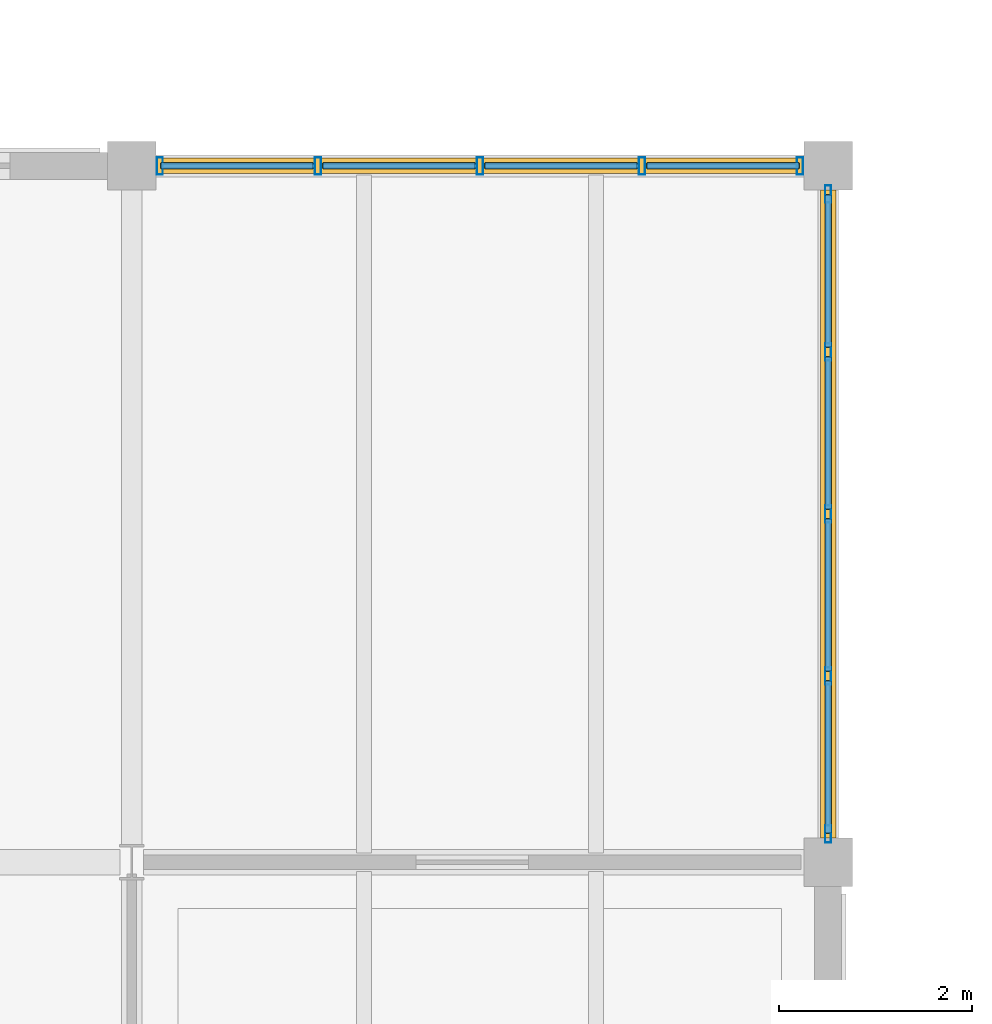
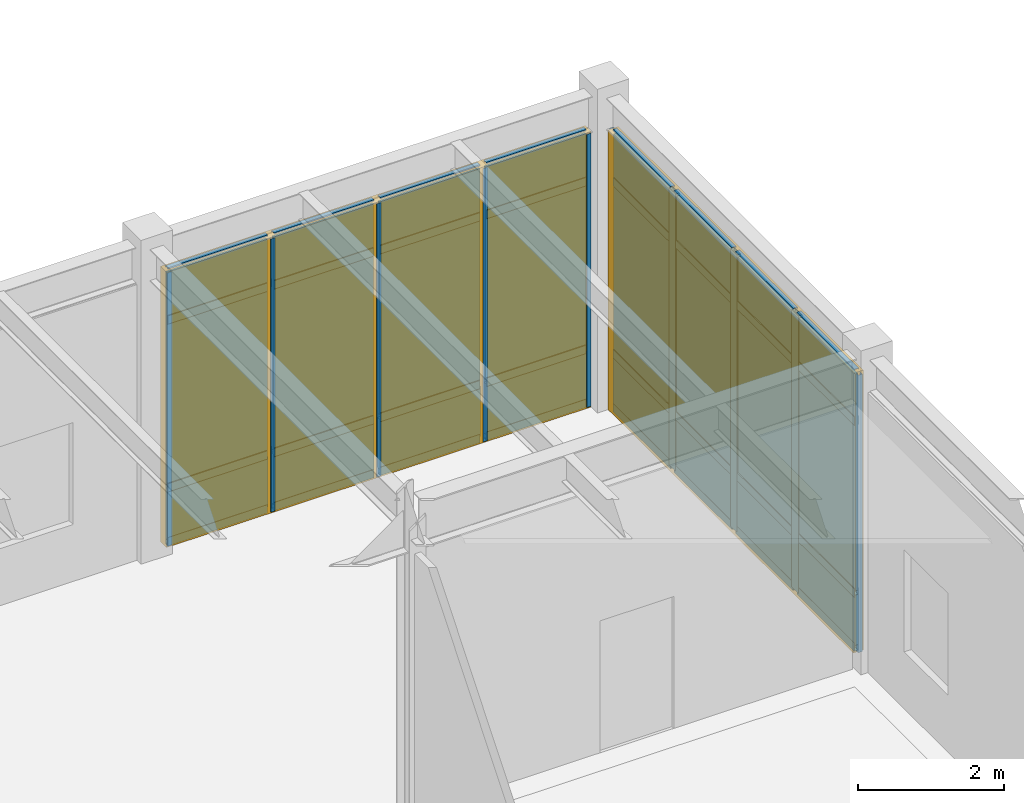
# One storey, part 85 of 97: 42 members, 16 plates, 2 curtain walls.
"""IFC4 building model written with IfcOpenShell, lengths in metres."""

from ifc_helpers import new_model, si_unit, direction, frame, origin, origin_2d, place, context, subcontext, project, spatial, rectangle, hollow_rectangle, extrude, material, layer, layer_set, material_profile, profile_set, type_object, element, aggregate, save


model = new_model("IFC4")

# Units and contexts
model_context = context("Model", 3, precision=1e-05, world=origin(), true_north=direction((0.0, 1.0)))
body_context = subcontext(model_context, "Body", "Model", "MODEL_VIEW")
ifc_project = project(units=[si_unit("LENGTHUNIT", "METRE"), si_unit("AREAUNIT", "SQUARE_METRE"), si_unit("VOLUMEUNIT", "CUBIC_METRE"), si_unit("PLANEANGLEUNIT", "RADIAN"), si_unit("MASSUNIT", "GRAM", prefix="KILO")], contexts=[model_context])

# Member
ifc_material_1 = material(Name="Anodized Aluminium 6063-T6", Category="aluminium")
ifc_material_profile_1 = material_profile(ifc_material_1, hollow_rectangle(XDim=0.06494140625, YDim=0.179931640625, WallThickness=0.00390625, at=origin_2d()), Name="ALU 65x180x4")
ifc_profile_set_1 = profile_set([ifc_material_profile_1], Name="Anodized Aluminium 6063-T6")
member_type_1 = type_object("IfcMemberType", Name="CWM-65X150", PredefinedType="MULLION", material=ifc_profile_set_1)
site_placement = place(None, origin())
building_placement = place(site_placement, origin())
storey_placement = place(building_placement, origin())
member_1_placement = place(storey_placement, frame((129.889892578125, 93.60009765625, 0.02001953125), z_axis=(0.0, 0.0, 1.0), x_axis=(1.0, 0.0, 0.0)))
member_1 = element("IfcMember", 1, at=member_1_placement, type_object=member_type_1, Name="Curtain wall mullion CW-L01-18-12-N-00", PredefinedType="MULLION", context=body_context, shape_type="SweptSolid", body=[
    extrude(hollow_rectangle(XDim=0.06494140625, YDim=0.179931640625, WallThickness=0.00390625, at=origin_2d()), origin(), (0.0, 0.0, 1.0), 4.557861328125),
])

member_2_placement = place(storey_placement, frame((131.52490234375, 93.60009765625, 0.02001953125), z_axis=(0.0, 0.0, 1.0), x_axis=(1.0, 0.0, 0.0)))
member_2 = element("IfcMember", 2, at=member_2_placement, type_object=member_type_1, Name="Curtain wall mullion CW-L01-18-12-N-01", PredefinedType="MULLION", context=body_context, shape_type="SweptSolid", body=[
    extrude(hollow_rectangle(XDim=0.06494140625, YDim=0.179931640625, WallThickness=0.00390625, at=origin_2d()), origin(), (0.0, 0.0, 1.0), 4.557861328125),
])

member_3_placement = place(storey_placement, frame((133.199951171875, 93.60009765625, 0.02001953125), z_axis=(0.0, 0.0, 1.0), x_axis=(1.0, 0.0, 0.0)))
member_3 = element("IfcMember", 3, at=member_3_placement, type_object=member_type_1, Name="Curtain wall mullion CW-L01-18-12-N-02", PredefinedType="MULLION", context=body_context, shape_type="SweptSolid", body=[
    extrude(hollow_rectangle(XDim=0.06494140625, YDim=0.179931640625, WallThickness=0.00390625, at=origin_2d()), origin(), (0.0, 0.0, 1.0), 4.557861328125),
])

member_4_placement = place(storey_placement, frame((134.875, 93.60009765625, 0.02001953125), z_axis=(0.0, 0.0, 1.0), x_axis=(1.0, 0.0, 0.0)))
member_4 = element("IfcMember", 4, at=member_4_placement, type_object=member_type_1, Name="Curtain wall mullion CW-L01-18-12-N-03", PredefinedType="MULLION", context=body_context, shape_type="SweptSolid", body=[
    extrude(hollow_rectangle(XDim=0.06494140625, YDim=0.179931640625, WallThickness=0.00390625, at=origin_2d()), origin(), (0.0, 0.0, 1.0), 4.557861328125),
])

member_5_placement = place(storey_placement, frame((136.510009765625, 93.60009765625, 0.02001953125), z_axis=(0.0, 0.0, 1.0), x_axis=(1.0, 0.0, 0.0)))
member_5 = element("IfcMember", 5, at=member_5_placement, type_object=member_type_1, Name="Curtain wall mullion CW-L01-18-12-N-04", PredefinedType="MULLION", context=body_context, shape_type="SweptSolid", body=[
    extrude(hollow_rectangle(XDim=0.06494140625, YDim=0.179931640625, WallThickness=0.00390625, at=origin_2d()), origin(), (0.0, 0.0, 1.0), 4.557861328125),
])

member_6_placement = place(storey_placement, frame((136.800048828125, 93.31005859375, 0.02001953125), z_axis=(0.0, 0.0, 1.0), x_axis=(1.0, 0.0, 0.0)))
member_6 = element("IfcMember", 6, at=member_6_placement, type_object=member_type_1, Name="Curtain wall mullion CW-L01-18-12-E-00", PredefinedType="MULLION", context=body_context, shape_type="SweptSolid", body=[
    extrude(hollow_rectangle(XDim=0.06494140625, YDim=0.179931640625, WallThickness=0.00390625, at=origin_2d()), origin(), (0.0, 0.0, 1.0), 4.626953125),
])

member_7_placement = place(storey_placement, frame((136.800048828125, 91.675048828125, 0.02001953125), z_axis=(0.0, 0.0, 1.0), x_axis=(1.0, 0.0, 0.0)))
member_7 = element("IfcMember", 7, at=member_7_placement, type_object=member_type_1, Name="Curtain wall mullion CW-L01-18-12-E-01", PredefinedType="MULLION", context=body_context, shape_type="SweptSolid", body=[
    extrude(hollow_rectangle(XDim=0.06494140625, YDim=0.179931640625, WallThickness=0.00390625, at=origin_2d()), origin(), (0.0, 0.0, 1.0), 4.626953125),
])

member_8_placement = place(storey_placement, frame((136.800048828125, 90.0, 0.02001953125), z_axis=(0.0, 0.0, 1.0), x_axis=(1.0, 0.0, 0.0)))
member_8 = element("IfcMember", 8, at=member_8_placement, type_object=member_type_1, Name="Curtain wall mullion CW-L01-18-12-E-02", PredefinedType="MULLION", context=body_context, shape_type="SweptSolid", body=[
    extrude(hollow_rectangle(XDim=0.06494140625, YDim=0.179931640625, WallThickness=0.00390625, at=origin_2d()), origin(), (0.0, 0.0, 1.0), 4.626953125),
])

member_9_placement = place(storey_placement, frame((136.800048828125, 88.324951171875, 0.02001953125), z_axis=(0.0, 0.0, 1.0), x_axis=(1.0, 0.0, 0.0)))
member_9 = element("IfcMember", 9, at=member_9_placement, type_object=member_type_1, Name="Curtain wall mullion CW-L01-18-12-E-03", PredefinedType="MULLION", context=body_context, shape_type="SweptSolid", body=[
    extrude(hollow_rectangle(XDim=0.06494140625, YDim=0.179931640625, WallThickness=0.00390625, at=origin_2d()), origin(), (0.0, 0.0, 1.0), 4.626953125),
])

member_10_placement = place(storey_placement, frame((136.800048828125, 86.68994140625, 0.02001953125), z_axis=(0.0, 0.0, 1.0), x_axis=(1.0, 0.0, 0.0)))
member_10 = element("IfcMember", 10, at=member_10_placement, type_object=member_type_1, Name="Curtain wall mullion CW-L01-18-12-E-04", PredefinedType="MULLION", context=body_context, shape_type="SweptSolid", body=[
    extrude(hollow_rectangle(XDim=0.06494140625, YDim=0.179931640625, WallThickness=0.00390625, at=origin_2d()), origin(), (0.0, 0.0, 1.0), 4.626953125),
])

ifc_material_profile_2 = material_profile(ifc_material_1, hollow_rectangle(XDim=0.06494140625, YDim=0.139892578125, WallThickness=0.00390625, at=origin_2d()), Name="ALU 65x140x4")
ifc_profile_set_2 = profile_set([ifc_material_profile_2], Name="Anodized Aluminium 6063-T6")
member_type_2 = type_object("IfcMemberType", Name="CWT-65X120", PredefinedType="USERDEFINED", material=ifc_profile_set_2)
member_11_placement = place(storey_placement, frame((129.89990234375, 93.60009765625, 0.050048828125), z_axis=(1.0, 0.0, 0.0), x_axis=(0.0, 1.0, 0.0)))
member_11 = element("IfcMember", 11, at=member_11_placement, type_object=member_type_2, Name="Curtain wall transom CW-L01-18-12-N-1.01", ObjectType="TRANSOM", PredefinedType="USERDEFINED", context=body_context, shape_type="SweptSolid", body=[
    extrude(hollow_rectangle(XDim=0.06494140625, YDim=0.139892578125, WallThickness=0.00390625, at=origin_2d()), origin(), (0.0, 0.0, 1.0), 1.5751953125),
])

member_12_placement = place(storey_placement, frame((131.574951171875, 93.60009765625, 0.050048828125), z_axis=(1.0, 0.0, 0.0), x_axis=(0.0, 1.0, 0.0)))
member_12 = element("IfcMember", 12, at=member_12_placement, type_object=member_type_2, Name="Curtain wall transom CW-L01-18-12-N-1.02", ObjectType="TRANSOM", PredefinedType="USERDEFINED", context=body_context, shape_type="SweptSolid", body=[
    extrude(hollow_rectangle(XDim=0.06494140625, YDim=0.139892578125, WallThickness=0.00390625, at=origin_2d()), origin(), (0.0, 0.0, 1.0), 1.574951171875),
])

member_13_placement = place(storey_placement, frame((133.25, 93.60009765625, 0.050048828125), z_axis=(1.0, 0.0, 0.0), x_axis=(0.0, 1.0, 0.0)))
member_13 = element("IfcMember", 13, at=member_13_placement, type_object=member_type_2, Name="Curtain wall transom CW-L01-18-12-N-1.03", ObjectType="TRANSOM", PredefinedType="USERDEFINED", context=body_context, shape_type="SweptSolid", body=[
    extrude(hollow_rectangle(XDim=0.06494140625, YDim=0.139892578125, WallThickness=0.00390625, at=origin_2d()), origin(), (0.0, 0.0, 1.0), 1.574951171875),
])

member_14_placement = place(storey_placement, frame((134.925048828125, 93.60009765625, 0.050048828125), z_axis=(1.0, 0.0, 0.0), x_axis=(0.0, 1.0, 0.0)))
member_14 = element("IfcMember", 14, at=member_14_placement, type_object=member_type_2, Name="Curtain wall transom CW-L01-18-12-N-1.04", ObjectType="TRANSOM", PredefinedType="USERDEFINED", context=body_context, shape_type="SweptSolid", body=[
    extrude(hollow_rectangle(XDim=0.06494140625, YDim=0.139892578125, WallThickness=0.00390625, at=origin_2d()), origin(), (0.0, 0.0, 1.0), 1.574951171875),
])

member_15_placement = place(storey_placement, frame((129.89990234375, 93.60009765625, 0.949951171875), z_axis=(1.0, 0.0, 0.0), x_axis=(0.0, 1.0, 0.0)))
member_15 = element("IfcMember", 15, at=member_15_placement, type_object=member_type_2, Name="Curtain wall transom CW-L01-18-12-N-2.01", ObjectType="TRANSOM", PredefinedType="USERDEFINED", context=body_context, shape_type="SweptSolid", body=[
    extrude(hollow_rectangle(XDim=0.06494140625, YDim=0.139892578125, WallThickness=0.00390625, at=origin_2d()), origin(), (0.0, 0.0, 1.0), 1.5751953125),
])

member_16_placement = place(storey_placement, frame((131.574951171875, 93.60009765625, 0.949951171875), z_axis=(1.0, 0.0, 0.0), x_axis=(0.0, 1.0, 0.0)))
member_16 = element("IfcMember", 16, at=member_16_placement, type_object=member_type_2, Name="Curtain wall transom CW-L01-18-12-N-2.02", ObjectType="TRANSOM", PredefinedType="USERDEFINED", context=body_context, shape_type="SweptSolid", body=[
    extrude(hollow_rectangle(XDim=0.06494140625, YDim=0.139892578125, WallThickness=0.00390625, at=origin_2d()), origin(), (0.0, 0.0, 1.0), 1.574951171875),
])

member_17_placement = place(storey_placement, frame((133.25, 93.60009765625, 0.949951171875), z_axis=(1.0, 0.0, 0.0), x_axis=(0.0, 1.0, 0.0)))
member_17 = element("IfcMember", 17, at=member_17_placement, type_object=member_type_2, Name="Curtain wall transom CW-L01-18-12-N-2.03", ObjectType="TRANSOM", PredefinedType="USERDEFINED", context=body_context, shape_type="SweptSolid", body=[
    extrude(hollow_rectangle(XDim=0.06494140625, YDim=0.139892578125, WallThickness=0.00390625, at=origin_2d()), origin(), (0.0, 0.0, 1.0), 1.574951171875),
])

member_18_placement = place(storey_placement, frame((134.925048828125, 93.60009765625, 0.949951171875), z_axis=(1.0, 0.0, 0.0), x_axis=(0.0, 1.0, 0.0)))
member_18 = element("IfcMember", 18, at=member_18_placement, type_object=member_type_2, Name="Curtain wall transom CW-L01-18-12-N-2.04", ObjectType="TRANSOM", PredefinedType="USERDEFINED", context=body_context, shape_type="SweptSolid", body=[
    extrude(hollow_rectangle(XDim=0.06494140625, YDim=0.139892578125, WallThickness=0.00390625, at=origin_2d()), origin(), (0.0, 0.0, 1.0), 1.574951171875),
])

member_19_placement = place(storey_placement, frame((129.89990234375, 93.60009765625, 3.748046875), z_axis=(1.0, 0.0, 0.0), x_axis=(0.0, 1.0, 0.0)))
member_19 = element("IfcMember", 19, at=member_19_placement, type_object=member_type_2, Name="Curtain wall transom CW-L01-18-12-N-3.01", ObjectType="TRANSOM", PredefinedType="USERDEFINED", context=body_context, shape_type="SweptSolid", body=[
    extrude(hollow_rectangle(XDim=0.06494140625, YDim=0.139892578125, WallThickness=0.00390625, at=origin_2d()), origin(), (0.0, 0.0, 1.0), 1.5751953125),
])

member_20_placement = place(storey_placement, frame((131.574951171875, 93.60009765625, 3.748046875), z_axis=(1.0, 0.0, 0.0), x_axis=(0.0, 1.0, 0.0)))
member_20 = element("IfcMember", 20, at=member_20_placement, type_object=member_type_2, Name="Curtain wall transom CW-L01-18-12-N-3.02", ObjectType="TRANSOM", PredefinedType="USERDEFINED", context=body_context, shape_type="SweptSolid", body=[
    extrude(hollow_rectangle(XDim=0.06494140625, YDim=0.139892578125, WallThickness=0.00390625, at=origin_2d()), origin(), (0.0, 0.0, 1.0), 1.574951171875),
])

member_21_placement = place(storey_placement, frame((133.25, 93.60009765625, 3.748046875), z_axis=(1.0, 0.0, 0.0), x_axis=(0.0, 1.0, 0.0)))
member_21 = element("IfcMember", 21, at=member_21_placement, type_object=member_type_2, Name="Curtain wall transom CW-L01-18-12-N-3.03", ObjectType="TRANSOM", PredefinedType="USERDEFINED", context=body_context, shape_type="SweptSolid", body=[
    extrude(hollow_rectangle(XDim=0.06494140625, YDim=0.139892578125, WallThickness=0.00390625, at=origin_2d()), origin(), (0.0, 0.0, 1.0), 1.574951171875),
])

member_22_placement = place(storey_placement, frame((134.925048828125, 93.60009765625, 3.748046875), z_axis=(1.0, 0.0, 0.0), x_axis=(0.0, 1.0, 0.0)))
member_22 = element("IfcMember", 22, at=member_22_placement, type_object=member_type_2, Name="Curtain wall transom CW-L01-18-12-N-3.04", ObjectType="TRANSOM", PredefinedType="USERDEFINED", context=body_context, shape_type="SweptSolid", body=[
    extrude(hollow_rectangle(XDim=0.06494140625, YDim=0.139892578125, WallThickness=0.00390625, at=origin_2d()), origin(), (0.0, 0.0, 1.0), 1.574951171875),
])

member_23_placement = place(storey_placement, frame((129.89990234375, 93.60009765625, 4.548095703125), z_axis=(1.0, 0.0, 0.0), x_axis=(0.0, 1.0, 0.0)))
member_23 = element("IfcMember", 23, at=member_23_placement, type_object=member_type_2, Name="Curtain wall transom CW-L01-18-12-N-4.01", ObjectType="TRANSOM", PredefinedType="USERDEFINED", context=body_context, shape_type="SweptSolid", body=[
    extrude(hollow_rectangle(XDim=0.06494140625, YDim=0.139892578125, WallThickness=0.00390625, at=origin_2d()), origin(), (0.0, 0.0, 1.0), 1.5751953125),
])

member_24_placement = place(storey_placement, frame((131.574951171875, 93.60009765625, 4.548095703125), z_axis=(1.0, 0.0, 0.0), x_axis=(0.0, 1.0, 0.0)))
member_24 = element("IfcMember", 24, at=member_24_placement, type_object=member_type_2, Name="Curtain wall transom CW-L01-18-12-N-4.02", ObjectType="TRANSOM", PredefinedType="USERDEFINED", context=body_context, shape_type="SweptSolid", body=[
    extrude(hollow_rectangle(XDim=0.06494140625, YDim=0.139892578125, WallThickness=0.00390625, at=origin_2d()), origin(), (0.0, 0.0, 1.0), 1.574951171875),
])

member_25_placement = place(storey_placement, frame((133.25, 93.60009765625, 4.548095703125), z_axis=(1.0, 0.0, 0.0), x_axis=(0.0, 1.0, 0.0)))
member_25 = element("IfcMember", 25, at=member_25_placement, type_object=member_type_2, Name="Curtain wall transom CW-L01-18-12-N-4.03", ObjectType="TRANSOM", PredefinedType="USERDEFINED", context=body_context, shape_type="SweptSolid", body=[
    extrude(hollow_rectangle(XDim=0.06494140625, YDim=0.139892578125, WallThickness=0.00390625, at=origin_2d()), origin(), (0.0, 0.0, 1.0), 1.574951171875),
])

member_26_placement = place(storey_placement, frame((134.925048828125, 93.60009765625, 4.548095703125), z_axis=(1.0, 0.0, 0.0), x_axis=(0.0, 1.0, 0.0)))
member_26 = element("IfcMember", 26, at=member_26_placement, type_object=member_type_2, Name="Curtain wall transom CW-L01-18-12-N-4.04", ObjectType="TRANSOM", PredefinedType="USERDEFINED", context=body_context, shape_type="SweptSolid", body=[
    extrude(hollow_rectangle(XDim=0.06494140625, YDim=0.139892578125, WallThickness=0.00390625, at=origin_2d()), origin(), (0.0, 0.0, 1.0), 1.574951171875),
])

member_27_placement = place(storey_placement, frame((136.800048828125, 93.300048828125, 0.050048828125), z_axis=(0.0, -1.0, 0.0), x_axis=(1.0, 0.0, 0.0)))
member_27 = element("IfcMember", 27, at=member_27_placement, type_object=member_type_2, Name="Curtain wall transom CW-L01-18-12-E-1.01", ObjectType="TRANSOM", PredefinedType="USERDEFINED", context=body_context, shape_type="SweptSolid", body=[
    extrude(hollow_rectangle(XDim=0.06494140625, YDim=0.139892578125, WallThickness=0.00390625, at=origin_2d()), origin(), (0.0, 0.0, 1.0), 1.574951171875),
])

member_28_placement = place(storey_placement, frame((136.800048828125, 91.625, 0.050048828125), z_axis=(0.0, -1.0, 0.0), x_axis=(1.0, 0.0, 0.0)))
member_28 = element("IfcMember", 28, at=member_28_placement, type_object=member_type_2, Name="Curtain wall transom CW-L01-18-12-E-1.02", ObjectType="TRANSOM", PredefinedType="USERDEFINED", context=body_context, shape_type="SweptSolid", body=[
    extrude(hollow_rectangle(XDim=0.06494140625, YDim=0.139892578125, WallThickness=0.00390625, at=origin_2d()), origin(), (0.0, 0.0, 1.0), 1.574951171875),
])

member_29_placement = place(storey_placement, frame((136.800048828125, 89.949951171875, 0.050048828125), z_axis=(0.0, -1.0, 0.0), x_axis=(1.0, 0.0, 0.0)))
member_29 = element("IfcMember", 29, at=member_29_placement, type_object=member_type_2, Name="Curtain wall transom CW-L01-18-12-E-1.03", ObjectType="TRANSOM", PredefinedType="USERDEFINED", context=body_context, shape_type="SweptSolid", body=[
    extrude(hollow_rectangle(XDim=0.06494140625, YDim=0.139892578125, WallThickness=0.00390625, at=origin_2d()), origin(), (0.0, 0.0, 1.0), 1.574951171875),
])

member_30_placement = place(storey_placement, frame((136.800048828125, 88.27490234375, 0.050048828125), z_axis=(0.0, -1.0, 0.0), x_axis=(1.0, 0.0, 0.0)))
member_30 = element("IfcMember", 30, at=member_30_placement, type_object=member_type_2, Name="Curtain wall transom CW-L01-18-12-E-1.04", ObjectType="TRANSOM", PredefinedType="USERDEFINED", context=body_context, shape_type="SweptSolid", body=[
    extrude(hollow_rectangle(XDim=0.06494140625, YDim=0.139892578125, WallThickness=0.00390625, at=origin_2d()), origin(), (0.0, 0.0, 1.0), 1.574951171875),
])

member_31_placement = place(storey_placement, frame((136.800048828125, 93.300048828125, 0.949951171875), z_axis=(0.0, -1.0, 0.0), x_axis=(1.0, 0.0, 0.0)))
member_31 = element("IfcMember", 31, at=member_31_placement, type_object=member_type_2, Name="Curtain wall transom CW-L01-18-12-E-2.01", ObjectType="TRANSOM", PredefinedType="USERDEFINED", context=body_context, shape_type="SweptSolid", body=[
    extrude(hollow_rectangle(XDim=0.06494140625, YDim=0.139892578125, WallThickness=0.00390625, at=origin_2d()), origin(), (0.0, 0.0, 1.0), 1.574951171875),
])

member_32_placement = place(storey_placement, frame((136.800048828125, 91.625, 0.949951171875), z_axis=(0.0, -1.0, 0.0), x_axis=(1.0, 0.0, 0.0)))
member_32 = element("IfcMember", 32, at=member_32_placement, type_object=member_type_2, Name="Curtain wall transom CW-L01-18-12-E-2.02", ObjectType="TRANSOM", PredefinedType="USERDEFINED", context=body_context, shape_type="SweptSolid", body=[
    extrude(hollow_rectangle(XDim=0.06494140625, YDim=0.139892578125, WallThickness=0.00390625, at=origin_2d()), origin(), (0.0, 0.0, 1.0), 1.574951171875),
])

member_33_placement = place(storey_placement, frame((136.800048828125, 89.949951171875, 0.949951171875), z_axis=(0.0, -1.0, 0.0), x_axis=(1.0, 0.0, 0.0)))
member_33 = element("IfcMember", 33, at=member_33_placement, type_object=member_type_2, Name="Curtain wall transom CW-L01-18-12-E-2.03", ObjectType="TRANSOM", PredefinedType="USERDEFINED", context=body_context, shape_type="SweptSolid", body=[
    extrude(hollow_rectangle(XDim=0.06494140625, YDim=0.139892578125, WallThickness=0.00390625, at=origin_2d()), origin(), (0.0, 0.0, 1.0), 1.574951171875),
])

member_34_placement = place(storey_placement, frame((136.800048828125, 88.27490234375, 0.949951171875), z_axis=(0.0, -1.0, 0.0), x_axis=(1.0, 0.0, 0.0)))
member_34 = element("IfcMember", 34, at=member_34_placement, type_object=member_type_2, Name="Curtain wall transom CW-L01-18-12-E-2.04", ObjectType="TRANSOM", PredefinedType="USERDEFINED", context=body_context, shape_type="SweptSolid", body=[
    extrude(hollow_rectangle(XDim=0.06494140625, YDim=0.139892578125, WallThickness=0.00390625, at=origin_2d()), origin(), (0.0, 0.0, 1.0), 1.574951171875),
])

member_35_placement = place(storey_placement, frame((136.800048828125, 93.300048828125, 3.81689453125), z_axis=(0.0, -1.0, 0.0), x_axis=(1.0, 0.0, 0.0)))
member_35 = element("IfcMember", 35, at=member_35_placement, type_object=member_type_2, Name="Curtain wall transom CW-L01-18-12-E-3.01", ObjectType="TRANSOM", PredefinedType="USERDEFINED", context=body_context, shape_type="SweptSolid", body=[
    extrude(hollow_rectangle(XDim=0.06494140625, YDim=0.139892578125, WallThickness=0.00390625, at=origin_2d()), origin(), (0.0, 0.0, 1.0), 1.574951171875),
])

member_36_placement = place(storey_placement, frame((136.800048828125, 91.625, 3.81689453125), z_axis=(0.0, -1.0, 0.0), x_axis=(1.0, 0.0, 0.0)))
member_36 = element("IfcMember", 36, at=member_36_placement, type_object=member_type_2, Name="Curtain wall transom CW-L01-18-12-E-3.02", ObjectType="TRANSOM", PredefinedType="USERDEFINED", context=body_context, shape_type="SweptSolid", body=[
    extrude(hollow_rectangle(XDim=0.06494140625, YDim=0.139892578125, WallThickness=0.00390625, at=origin_2d()), origin(), (0.0, 0.0, 1.0), 1.574951171875),
])

member_37_placement = place(storey_placement, frame((136.800048828125, 89.949951171875, 3.81689453125), z_axis=(0.0, -1.0, 0.0), x_axis=(1.0, 0.0, 0.0)))
member_37 = element("IfcMember", 37, at=member_37_placement, type_object=member_type_2, Name="Curtain wall transom CW-L01-18-12-E-3.03", ObjectType="TRANSOM", PredefinedType="USERDEFINED", context=body_context, shape_type="SweptSolid", body=[
    extrude(hollow_rectangle(XDim=0.06494140625, YDim=0.139892578125, WallThickness=0.00390625, at=origin_2d()), origin(), (0.0, 0.0, 1.0), 1.574951171875),
])

member_38_placement = place(storey_placement, frame((136.800048828125, 88.27490234375, 3.81689453125), z_axis=(0.0, -1.0, 0.0), x_axis=(1.0, 0.0, 0.0)))
member_38 = element("IfcMember", 38, at=member_38_placement, type_object=member_type_2, Name="Curtain wall transom CW-L01-18-12-E-3.04", ObjectType="TRANSOM", PredefinedType="USERDEFINED", context=body_context, shape_type="SweptSolid", body=[
    extrude(hollow_rectangle(XDim=0.06494140625, YDim=0.139892578125, WallThickness=0.00390625, at=origin_2d()), origin(), (0.0, 0.0, 1.0), 1.574951171875),
])

member_39_placement = place(storey_placement, frame((136.800048828125, 93.300048828125, 4.616943359375), z_axis=(0.0, -1.0, 0.0), x_axis=(1.0, 0.0, 0.0)))
member_39 = element("IfcMember", 39, at=member_39_placement, type_object=member_type_2, Name="Curtain wall transom CW-L01-18-12-E-4.01", ObjectType="TRANSOM", PredefinedType="USERDEFINED", context=body_context, shape_type="SweptSolid", body=[
    extrude(hollow_rectangle(XDim=0.06494140625, YDim=0.139892578125, WallThickness=0.00390625, at=origin_2d()), origin(), (0.0, 0.0, 1.0), 1.574951171875),
])

member_40_placement = place(storey_placement, frame((136.800048828125, 91.625, 4.616943359375), z_axis=(0.0, -1.0, 0.0), x_axis=(1.0, 0.0, 0.0)))
member_40 = element("IfcMember", 40, at=member_40_placement, type_object=member_type_2, Name="Curtain wall transom CW-L01-18-12-E-4.02", ObjectType="TRANSOM", PredefinedType="USERDEFINED", context=body_context, shape_type="SweptSolid", body=[
    extrude(hollow_rectangle(XDim=0.06494140625, YDim=0.139892578125, WallThickness=0.00390625, at=origin_2d()), origin(), (0.0, 0.0, 1.0), 1.574951171875),
])

member_41_placement = place(storey_placement, frame((136.800048828125, 89.949951171875, 4.616943359375), z_axis=(0.0, -1.0, 0.0), x_axis=(1.0, 0.0, 0.0)))
member_41 = element("IfcMember", 41, at=member_41_placement, type_object=member_type_2, Name="Curtain wall transom CW-L01-18-12-E-4.03", ObjectType="TRANSOM", PredefinedType="USERDEFINED", context=body_context, shape_type="SweptSolid", body=[
    extrude(hollow_rectangle(XDim=0.06494140625, YDim=0.139892578125, WallThickness=0.00390625, at=origin_2d()), origin(), (0.0, 0.0, 1.0), 1.574951171875),
])

member_42_placement = place(storey_placement, frame((136.800048828125, 88.27490234375, 4.616943359375), z_axis=(0.0, -1.0, 0.0), x_axis=(1.0, 0.0, 0.0)))
member_42 = element("IfcMember", 42, at=member_42_placement, type_object=member_type_2, Name="Curtain wall transom CW-L01-18-12-E-4.04", ObjectType="TRANSOM", PredefinedType="USERDEFINED", context=body_context, shape_type="SweptSolid", body=[
    extrude(hollow_rectangle(XDim=0.06494140625, YDim=0.139892578125, WallThickness=0.00390625, at=origin_2d()), origin(), (0.0, 0.0, 1.0), 1.574951171875),
])

# Plate
ifc_material_2 = material(Name="Double Low-E Insulated Glazing Unit", Category="glass")
ifc_layer_1 = layer(ifc_material_2, 0.0380859375)
ifc_layer_set_1 = layer_set([ifc_layer_1], Name="Double Low-E Insulated Glazing Unit")
plate_type_1 = type_object("IfcPlateType", Name="CWP-IGU-38", PredefinedType="CURTAIN_PANEL", material=ifc_layer_set_1)
plate_1_placement = place(storey_placement, frame((130.6875, 93.60009765625, 0.98974609375), z_axis=(0.0, 0.0, 1.0), x_axis=(1.0, 0.0, 0.0)))
plate_1 = element("IfcPlate", 43, at=plate_1_placement, type_object=plate_type_1, Name="Curtain wall vision glazing CW-L01-18-12-N-01", PredefinedType="CURTAIN_PANEL", context=body_context, shape_type="SweptSolid", body=[
    extrude(rectangle(XDim=1.5849609375, YDim=0.0400390625, at=origin_2d()), origin(), (0.0, 0.0, 1.0), 3.548095703125),
])

plate_2_placement = place(storey_placement, frame((132.362548828125, 93.60009765625, 0.98974609375), z_axis=(0.0, 0.0, 1.0), x_axis=(1.0, 0.0, 0.0)))
plate_2 = element("IfcPlate", 44, at=plate_2_placement, type_object=plate_type_1, Name="Curtain wall vision glazing CW-L01-18-12-N-02", PredefinedType="CURTAIN_PANEL", context=body_context, shape_type="SweptSolid", body=[
    extrude(rectangle(XDim=1.5849609375, YDim=0.0400390625, at=origin_2d()), origin(), (0.0, 0.0, 1.0), 3.548095703125),
])

plate_3_placement = place(storey_placement, frame((134.03759765625, 93.60009765625, 0.98974609375), z_axis=(0.0, 0.0, 1.0), x_axis=(1.0, 0.0, 0.0)))
plate_3 = element("IfcPlate", 45, at=plate_3_placement, type_object=plate_type_1, Name="Curtain wall vision glazing CW-L01-18-12-N-03", PredefinedType="CURTAIN_PANEL", context=body_context, shape_type="SweptSolid", body=[
    extrude(rectangle(XDim=1.5849609375, YDim=0.0400390625, at=origin_2d()), origin(), (0.0, 0.0, 1.0), 3.548095703125),
])

plate_4_placement = place(storey_placement, frame((135.71240234375, 93.60009765625, 0.98974609375), z_axis=(0.0, 0.0, 1.0), x_axis=(1.0, 0.0, 0.0)))
plate_4 = element("IfcPlate", 46, at=plate_4_placement, type_object=plate_type_1, Name="Curtain wall vision glazing CW-L01-18-12-N-04", PredefinedType="CURTAIN_PANEL", context=body_context, shape_type="SweptSolid", body=[
    extrude(rectangle(XDim=1.5849609375, YDim=0.0400390625, at=origin_2d()), origin(), (0.0, 0.0, 1.0), 3.548095703125),
])

plate_5_placement = place(storey_placement, frame((136.800048828125, 92.512451171875, 0.990234375), z_axis=(0.0, 0.0, 1.0), x_axis=(0.0, -1.0, 0.0)))
plate_5 = element("IfcPlate", 47, at=plate_5_placement, type_object=plate_type_1, Name="Curtain wall vision glazing CW-L01-18-12-E-01", PredefinedType="CURTAIN_PANEL", context=body_context, shape_type="SweptSolid", body=[
    extrude(rectangle(XDim=1.5849609375, YDim=0.0400390625, at=origin_2d()), origin(), (0.0, 0.0, 1.0), 3.616943359375),
])

plate_6_placement = place(storey_placement, frame((136.800048828125, 90.83740234375, 0.990234375), z_axis=(0.0, 0.0, 1.0), x_axis=(0.0, -1.0, 0.0)))
plate_6 = element("IfcPlate", 48, at=plate_6_placement, type_object=plate_type_1, Name="Curtain wall vision glazing CW-L01-18-12-E-02", PredefinedType="CURTAIN_PANEL", context=body_context, shape_type="SweptSolid", body=[
    extrude(rectangle(XDim=1.5849609375, YDim=0.0400390625, at=origin_2d()), origin(), (0.0, 0.0, 1.0), 3.616943359375),
])

plate_7_placement = place(storey_placement, frame((136.800048828125, 89.16259765625, 0.990234375), z_axis=(0.0, 0.0, 1.0), x_axis=(0.0, -1.0, 0.0)))
plate_7 = element("IfcPlate", 49, at=plate_7_placement, type_object=plate_type_1, Name="Curtain wall vision glazing CW-L01-18-12-E-03", PredefinedType="CURTAIN_PANEL", context=body_context, shape_type="SweptSolid", body=[
    extrude(rectangle(XDim=1.5849609375, YDim=0.0400390625, at=origin_2d()), origin(), (0.0, 0.0, 1.0), 3.616943359375),
])

plate_8_placement = place(storey_placement, frame((136.800048828125, 87.487548828125, 0.990234375), z_axis=(0.0, 0.0, 1.0), x_axis=(0.0, -1.0, 0.0)))
plate_8 = element("IfcPlate", 50, at=plate_8_placement, type_object=plate_type_1, Name="Curtain wall vision glazing CW-L01-18-12-E-04", PredefinedType="CURTAIN_PANEL", context=body_context, shape_type="SweptSolid", body=[
    extrude(rectangle(XDim=1.5849609375, YDim=0.0400390625, at=origin_2d()), origin(), (0.0, 0.0, 1.0), 3.616943359375),
])

ifc_material_3 = material(Name="Insulated Bronze Aluminium Spandrel", Category="aluminium")
ifc_layer_2 = layer(ifc_material_3, 0.06005859375)
ifc_layer_set_2 = layer_set([ifc_layer_2], Name="Insulated Bronze Aluminium Spandrel")
plate_type_2 = type_object("IfcPlateType", Name="CWP-SPN-60", PredefinedType="CURTAIN_PANEL", material=ifc_layer_set_2)
plate_9_placement = place(storey_placement, frame((130.6875, 93.60009765625, 0.080078125), z_axis=(0.0, 0.0, 1.0), x_axis=(1.0, 0.0, 0.0)))
plate_9 = element("IfcPlate", 51, at=plate_9_placement, type_object=plate_type_2, Name="Curtain wall spandrel panel CW-L01-18-12-N-01", PredefinedType="CURTAIN_PANEL", context=body_context, shape_type="SweptSolid", body=[
    extrude(rectangle(XDim=1.5849609375, YDim=0.06005859375, at=origin_2d()), origin(), (0.0, 0.0, 1.0), 0.840087890625),
])

plate_10_placement = place(storey_placement, frame((132.362548828125, 93.60009765625, 0.080078125), z_axis=(0.0, 0.0, 1.0), x_axis=(1.0, 0.0, 0.0)))
plate_10 = element("IfcPlate", 52, at=plate_10_placement, type_object=plate_type_2, Name="Curtain wall spandrel panel CW-L01-18-12-N-02", PredefinedType="CURTAIN_PANEL", context=body_context, shape_type="SweptSolid", body=[
    extrude(rectangle(XDim=1.5849609375, YDim=0.06005859375, at=origin_2d()), origin(), (0.0, 0.0, 1.0), 0.840087890625),
])

plate_11_placement = place(storey_placement, frame((134.03759765625, 93.60009765625, 0.080078125), z_axis=(0.0, 0.0, 1.0), x_axis=(1.0, 0.0, 0.0)))
plate_11 = element("IfcPlate", 53, at=plate_11_placement, type_object=plate_type_2, Name="Curtain wall spandrel panel CW-L01-18-12-N-03", PredefinedType="CURTAIN_PANEL", context=body_context, shape_type="SweptSolid", body=[
    extrude(rectangle(XDim=1.5849609375, YDim=0.06005859375, at=origin_2d()), origin(), (0.0, 0.0, 1.0), 0.840087890625),
])

plate_12_placement = place(storey_placement, frame((135.71240234375, 93.60009765625, 0.080078125), z_axis=(0.0, 0.0, 1.0), x_axis=(1.0, 0.0, 0.0)))
plate_12 = element("IfcPlate", 54, at=plate_12_placement, type_object=plate_type_2, Name="Curtain wall spandrel panel CW-L01-18-12-N-04", PredefinedType="CURTAIN_PANEL", context=body_context, shape_type="SweptSolid", body=[
    extrude(rectangle(XDim=1.5849609375, YDim=0.06005859375, at=origin_2d()), origin(), (0.0, 0.0, 1.0), 0.840087890625),
])

plate_13_placement = place(storey_placement, frame((136.800048828125, 92.512451171875, 0.080078125), z_axis=(0.0, 0.0, 1.0), x_axis=(0.0, -1.0, 0.0)))
plate_13 = element("IfcPlate", 55, at=plate_13_placement, type_object=plate_type_2, Name="Curtain wall spandrel panel CW-L01-18-12-E-01", PredefinedType="CURTAIN_PANEL", context=body_context, shape_type="SweptSolid", body=[
    extrude(rectangle(XDim=1.5849609375, YDim=0.06005859375, at=origin_2d()), origin(), (0.0, 0.0, 1.0), 0.840087890625),
])

plate_14_placement = place(storey_placement, frame((136.800048828125, 90.83740234375, 0.080078125), z_axis=(0.0, 0.0, 1.0), x_axis=(0.0, -1.0, 0.0)))
plate_14 = element("IfcPlate", 56, at=plate_14_placement, type_object=plate_type_2, Name="Curtain wall spandrel panel CW-L01-18-12-E-02", PredefinedType="CURTAIN_PANEL", context=body_context, shape_type="SweptSolid", body=[
    extrude(rectangle(XDim=1.5849609375, YDim=0.06005859375, at=origin_2d()), origin(), (0.0, 0.0, 1.0), 0.840087890625),
])

plate_15_placement = place(storey_placement, frame((136.800048828125, 89.16259765625, 0.080078125), z_axis=(0.0, 0.0, 1.0), x_axis=(0.0, -1.0, 0.0)))
plate_15 = element("IfcPlate", 57, at=plate_15_placement, type_object=plate_type_2, Name="Curtain wall spandrel panel CW-L01-18-12-E-03", PredefinedType="CURTAIN_PANEL", context=body_context, shape_type="SweptSolid", body=[
    extrude(rectangle(XDim=1.5849609375, YDim=0.06005859375, at=origin_2d()), origin(), (0.0, 0.0, 1.0), 0.840087890625),
])

plate_16_placement = place(storey_placement, frame((136.800048828125, 87.487548828125, 0.080078125), z_axis=(0.0, 0.0, 1.0), x_axis=(0.0, -1.0, 0.0)))
plate_16 = element("IfcPlate", 58, at=plate_16_placement, type_object=plate_type_2, Name="Curtain wall spandrel panel CW-L01-18-12-E-04", PredefinedType="CURTAIN_PANEL", context=body_context, shape_type="SweptSolid", body=[
    extrude(rectangle(XDim=1.5849609375, YDim=0.06005859375, at=origin_2d()), origin(), (0.0, 0.0, 1.0), 0.840087890625),
])

# Site, building, storey
site = spatial("IfcSite", under=ifc_project, at=site_placement, CompositionType="ELEMENT")
building = spatial("IfcBuilding", under=site, at=building_placement, Name="Sillqori Civic Hall", CompositionType="ELEMENT")
storey = spatial("IfcBuildingStorey", under=building, at=storey_placement, Name="L01", CompositionType="ELEMENT", Elevation=0.0)

# Curtain wall
ifc_material_4 = material(Name="Anodized Aluminium Curtain Wall System", Category="aluminium")
curtain_wall_type = type_object("IfcCurtainWallType", Name="CW-SF-540", PredefinedType="NOTDEFINED", material=ifc_material_4)
curtain_wall_1_placement = place(storey_placement, frame((133.199951171875, 93.60009765625, 0.0), z_axis=(0.0, 0.0, 1.0), x_axis=(1.0, 0.0, 0.0)))
curtain_wall_1 = element("IfcCurtainWall", 59, at=curtain_wall_1_placement, inside=storey, type_object=curtain_wall_type, Name="L01 unitised curtain wall CW-L01-18-12-N", PredefinedType="NOTDEFINED", context=body_context, shape_type="SweptSolid", body=[
    extrude(rectangle(XDim=6.699951171875, YDim=0.159912109375, at=origin_2d()), origin(), (0.0, 0.0, 1.0), 4.597900390625),
])

aggregate(curtain_wall_1, [member_1, member_2, member_3, member_4, member_5, member_11, member_12, member_13, member_14, member_15, member_16, member_17, member_18, member_19, member_20, member_21, member_22, member_23, member_24, member_25, member_26, plate_9, plate_1, plate_10, plate_2, plate_11, plate_3, plate_12, plate_4])

curtain_wall_2_placement = place(storey_placement, frame((136.800048828125, 90.0, 0.0), z_axis=(0.0, 0.0, 1.0), x_axis=(0.0, -1.0, 0.0)))
curtain_wall_2 = element("IfcCurtainWall", 60, at=curtain_wall_2_placement, inside=storey, type_object=curtain_wall_type, Name="L01 unitised curtain wall CW-L01-18-12-E", PredefinedType="NOTDEFINED", context=body_context, shape_type="SweptSolid", body=[
    extrude(rectangle(XDim=6.699951171875, YDim=0.159912109375, at=origin_2d()), origin(), (0.0, 0.0, 1.0), 4.6669921875),
])

aggregate(curtain_wall_2, [member_6, member_7, member_8, member_9, member_10, member_27, member_28, member_29, member_30, member_31, member_32, member_33, member_34, member_35, member_36, member_37, member_38, member_39, member_40, member_41, member_42, plate_13, plate_5, plate_14, plate_6, plate_15, plate_7, plate_16, plate_8])

save(model, "model.ifc")
